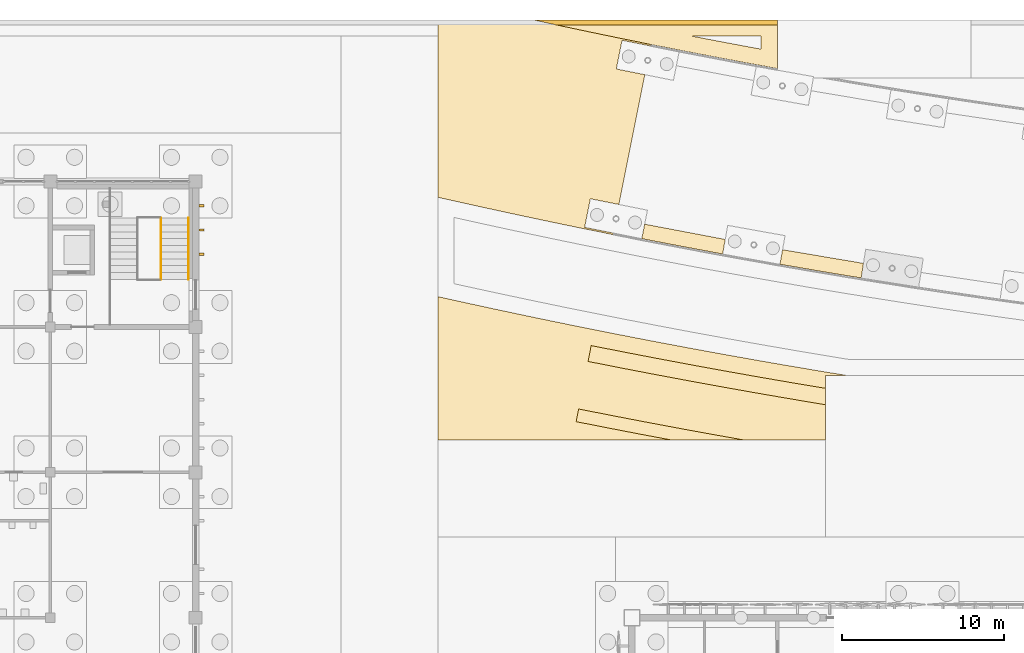
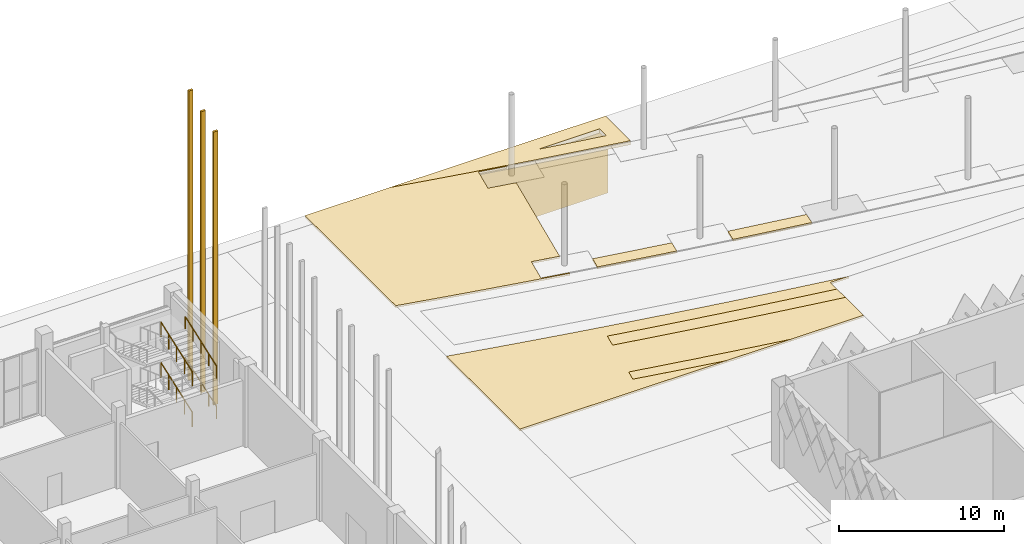
# One storey, part 170 of 198: 11 coverings, 4 railings.
"""IFC4 building model written with IfcOpenShell, lengths in metres."""

import ifcopenshell
import ifcopenshell.guid

model = None  # the IFC model being written
_history = None  # IfcOwnerHistory: only IFC2X3 demands one
_inside = {}  # id of a spatial element -> (the spatial element, [elements in it])
_under = {}  # id of a project, library or spatial element -> (it, [spatial elements below it])
_declared = {}  # id of a project -> (the project, [libraries it declares])
_typed = {}  # id of a type object -> (the type object, [elements of that type])
_made_of = {}  # id of a material, layer set ... -> (it, [elements and type objects made of it])


def new_model(schema):
    """Start an empty IFC model of exactly this schema.

    Asked for "IFC4X3", IfcOpenShell would pick the latest addendum, in which some entities
    have other attributes; the version numbers below select the first issue.
    IFC2X3 requires an IfcOwnerHistory on every rooted entity: one is made here for all.
    """
    global model, _history
    if schema == "IFC4X3":
        model = ifcopenshell.file(schema_version=(4, 3, 0, 0))
    else:
        model = ifcopenshell.file(schema=schema)
    _inside.clear()
    _under.clear()
    _declared.clear()
    _typed.clear()
    _made_of.clear()
    _history = None
    if model.schema == "IFC2X3":
        org = make("IfcOrganization", Name="unknown")
        user = make(
            "IfcPersonAndOrganization",
            ThePerson=make("IfcPerson", FamilyName="unknown"),
            TheOrganization=org,
        )
        app = make(
            "IfcApplication",
            ApplicationDeveloper=org,
            Version="unknown",
            ApplicationFullName="unknown",
            ApplicationIdentifier="unknown",
        )
        _history = make(
            "IfcOwnerHistory",
            OwningUser=user,
            OwningApplication=app,
            ChangeAction="ADDED",
            CreationDate=0,
        )
    return model


def make(cls, **values):
    """One entity of the class cls with the attributes given. An attribute that is None is left unset."""
    return model.create_entity(
        cls, **{name: value for name, value in values.items() if value is not None}
    )


def rooted(cls, **values):
    """An entity with a GlobalId (a new one), such as an element, a storey or a relation."""
    return make(cls, GlobalId=ifcopenshell.guid.new(), OwnerHistory=_history, **values)


def si_unit(unit_type, name, prefix=None):
    """IfcSIUnit, for example si_unit("LENGTHUNIT", "METRE", prefix="MILLI")."""
    return make("IfcSIUnit", UnitType=unit_type, Prefix=prefix, Name=name)


def assignment(units):
    """IfcUnitAssignment: the units of a project."""
    return None if units is None else make("IfcUnitAssignment", Units=units)


def point(xyz):
    """IfcCartesianPoint."""
    return None if xyz is None else make("IfcCartesianPoint", Coordinates=xyz)


def direction(xyz):
    """IfcDirection."""
    return None if xyz is None else make("IfcDirection", DirectionRatios=xyz)


def frame(location, z_axis=None, x_axis=None):
    """IfcAxis2Placement3D, a coordinate frame: its origin and axes. An axis left out is left unset."""
    return make(
        "IfcAxis2Placement3D",
        Location=point(location),
        Axis=direction(z_axis),
        RefDirection=direction(x_axis),
    )


def frame_2d(location, x_axis=None):
    """IfcAxis2Placement2D, a coordinate frame in the plane: its origin and x axis."""
    return make(
        "IfcAxis2Placement2D", Location=point(location), RefDirection=direction(x_axis)
    )


def origin():
    """The frame at (0, 0, 0) with its axes left unset."""
    return frame((0.0, 0.0, 0.0))


def origin_2d():
    """The frame at (0, 0) in the plane with its x axis left unset."""
    return frame_2d((0.0, 0.0))


def place(relative_to, where):
    """IfcLocalPlacement: puts the frame where relative to a parent placement (None: the world)."""
    return make(
        "IfcLocalPlacement", PlacementRelTo=relative_to, RelativePlacement=where
    )


def context(
    kind, dimensions, precision=None, world=None, true_north=None, identifier=None
):
    """IfcGeometricRepresentationContext, for example the 3D "Model" context."""
    return make(
        "IfcGeometricRepresentationContext",
        ContextIdentifier=identifier,
        ContextType=kind,
        CoordinateSpaceDimension=dimensions,
        Precision=precision,
        WorldCoordinateSystem=world,
        TrueNorth=true_north,
    )


def subcontext(parent, identifier, kind, view, scale=None):
    """IfcGeometricRepresentationSubContext, for example "Body" below "Model"."""
    return make(
        "IfcGeometricRepresentationSubContext",
        ContextIdentifier=identifier,
        ContextType=kind,
        ParentContext=parent,
        TargetScale=scale,
        TargetView=view,
    )


def project(units=None, contexts=None):
    """IfcProject with its units and contexts."""
    return rooted(
        "IfcProject",
        Name="project",
        RepresentationContexts=contexts,
        UnitsInContext=assignment(units),
    )


def spatial(cls, under=None, at=None, **own):
    """A site, building, storey or space (cls), placed at a placement, below another one or the project."""
    s = rooted(cls, ObjectPlacement=at, **own)
    if under is not None:
        _under.setdefault(under.id(), (under, []))[1].append(s)
    return s


def polyline(points):
    """IfcPolyline through the points."""
    return make("IfcPolyline", Points=[point(p) for p in points])


def profile(cls, at=None, kind="AREA", **sizes):
    """A parametric profile (cls). Its sizes go by their IFC names, for example OverallWidth=200.0."""
    return make(cls, ProfileType=kind, Position=at, **sizes)


def rectangle(**sizes):
    """IfcRectangleProfileDef."""
    return profile("IfcRectangleProfileDef", **sizes)


def circle(**sizes):
    """IfcCircleProfileDef."""
    return profile("IfcCircleProfileDef", **sizes)


def outline(outer, holes=None, kind="AREA"):
    """IfcArbitraryClosedProfileDef: a profile drawn as a closed curve; with holes, ...WithVoids."""
    if holes is None:
        return make("IfcArbitraryClosedProfileDef", ProfileType=kind, OuterCurve=outer)
    return make(
        "IfcArbitraryProfileDefWithVoids",
        ProfileType=kind,
        OuterCurve=outer,
        InnerCurves=holes,
    )


def extrude(swept, where, along, depth):
    """IfcExtrudedAreaSolid: the profile swept, set in the frame where, extruded along a direction by depth."""
    return make(
        "IfcExtrudedAreaSolid",
        SweptArea=swept,
        Position=where,
        ExtrudedDirection=direction(along),
        Depth=depth,
    )


def shape(context_of_items, identifier, shape_type, items):
    """IfcShapeRepresentation: the items that make up one representation, for example the "Body"."""
    return make(
        "IfcShapeRepresentation",
        ContextOfItems=context_of_items,
        RepresentationIdentifier=identifier,
        RepresentationType=shape_type,
        Items=items,
    )


def material(Name=None, Category=None):
    """IfcMaterial."""
    return make("IfcMaterial", Name=Name, Category=Category)


def layer(
    of_material, thickness, ventilated=None, Name=None, Category=None, Priority=None
):
    """IfcMaterialLayer: one layer of a wall or slab, of a material (None: an air gap)."""
    return make(
        "IfcMaterialLayer",
        Material=of_material,
        LayerThickness=thickness,
        IsVentilated=ventilated,
        Name=Name,
        Category=Category,
        Priority=Priority,
    )


def layer_set(layers, Name=None):
    """IfcMaterialLayerSet."""
    return make("IfcMaterialLayerSet", MaterialLayers=layers, LayerSetName=Name)


def constituent(of_material, Name=None, Category=None, fraction=None):
    """IfcMaterialConstituent: one of the materials an element consists of."""
    return make(
        "IfcMaterialConstituent",
        Name=Name,
        Material=of_material,
        Fraction=fraction,
        Category=Category,
    )


def constituent_set(constituents=None, Name=None):
    """IfcMaterialConstituentSet."""
    return make(
        "IfcMaterialConstituentSet", Name=Name, MaterialConstituents=constituents
    )


def made_of(thing, what):
    """Note that an element or type object is made of a material, layer set ...; save() writes the relation."""
    if what is not None:
        _made_of.setdefault(what.id(), (what, []))[1].append(thing)
    return thing


def type_object(cls, material=None, **own):
    """A type object (cls), such as IfcWallType, which elements share."""
    return made_of(rooted(cls, **own), material)


def element(
    cls,
    number,
    at=None,
    inside=None,
    cuts=None,
    type_object=None,
    material=None,
    context=None,
    identifier="Body",
    shape_type=None,
    held_by="IfcProductDefinitionShape",
    body=None,
    shapes=None,
    **own,
):
    """One element of the class cls, such as IfcWall. Its Tag is "e" and its number.

    at: its placement. inside: the storey or other place that contains it. cuts: it is an
    opening in that element (IfcRelVoidsElement). A single representation is given by context,
    identifier, shape_type and body (its items); several are given by shapes. held_by: the class
    of the entity that holds the representations. save() writes the other relations.
    """
    e = rooted(cls, Tag="e%d" % number, ObjectPlacement=at, **own)
    if body is not None:
        shapes = [shape(context, identifier, shape_type, body)]
    if shapes is not None:
        e.Representation = make(held_by, Representations=shapes)
    if inside is not None:
        _inside.setdefault(inside.id(), (inside, []))[1].append(e)
    if cuts is not None:
        rooted(
            "IfcRelVoidsElement", RelatingBuildingElement=cuts, RelatedOpeningElement=e
        )
    if type_object is not None:
        _typed.setdefault(type_object.id(), (type_object, []))[1].append(e)
    return made_of(e, material)


def aggregate(whole, parts):
    """IfcRelAggregates: a whole, such as a stair, and the parts it consists of."""
    return rooted("IfcRelAggregates", RelatingObject=whole, RelatedObjects=parts)


def save(model, path):
    """Write the relations noted so far, then the file.

    IfcRelAggregates (storeys below a building ...), IfcRelContainedInSpatialStructure (elements
    in a storey), IfcRelDefinesByType, IfcRelAssociatesMaterial and IfcRelDeclares: one each for
    every whole, place, type object, material and project.
    """
    for whole, parts in _under.values():
        aggregate(whole, parts)
    for where, things in _inside.values():
        rooted(
            "IfcRelContainedInSpatialStructure",
            RelatedElements=things,
            RelatingStructure=where,
        )
    for kind, things in _typed.values():
        rooted("IfcRelDefinesByType", RelatedObjects=things, RelatingType=kind)
    for what, things in _made_of.values():
        rooted("IfcRelAssociatesMaterial", RelatedObjects=things, RelatingMaterial=what)
    for by, libraries in _declared.values():
        rooted("IfcRelDeclares", RelatingContext=by, RelatedDefinitions=libraries)
    model.write(path)


model = new_model("IFC4")

# Units and contexts
model_context = context("Model", 3, precision=1e-05, world=origin(), true_north=direction((0.0, 1.0)))
body_context = subcontext(model_context, "Body", "Model", "MODEL_VIEW")
ifc_project = project(units=[si_unit("LENGTHUNIT", "METRE"), si_unit("AREAUNIT", "SQUARE_METRE"), si_unit("VOLUMEUNIT", "CUBIC_METRE"), si_unit("PLANEANGLEUNIT", "RADIAN"), si_unit("MASSUNIT", "GRAM", prefix="KILO")], contexts=[model_context])

# Site, building, storey
site_placement = place(None, origin())
site = spatial("IfcSite", under=ifc_project, at=site_placement, CompositionType="ELEMENT")
building_placement = place(site_placement, origin())
building = spatial("IfcBuilding", under=site, at=building_placement, Name="Opaline Strait Convention Centre", CompositionType="ELEMENT")
storey_placement = place(building_placement, origin())
storey = spatial("IfcBuildingStorey", under=building, at=storey_placement, Name="L00", CompositionType="ELEMENT", Elevation=0.0)

# Coverings
ifc_material_1 = material(Name="Glass fibre reinforced concrete, white", Category="concrete")
ifc_layer_1 = layer(ifc_material_1, 0.300048828125)
ifc_layer_set_1 = layer_set([ifc_layer_1], Name="Glass fibre reinforced concrete, white")
covering_type_1 = type_object("IfcCoveringType", Name="GRC rib 150 x 300", PredefinedType="CLADDING", material=ifc_layer_set_1)
covering_1_placement = place(storey_placement, frame((72.35009765625, 175.5, 0.0), z_axis=(0.0, 0.0, 1.0), x_axis=(1.0, 0.0, 0.0)))
element("IfcCovering", 1, at=covering_1_placement, inside=storey, type_object=covering_type_1, Name="PX1 rib east 39", PredefinedType="CLADDING", context=body_context, shape_type="SweptSolid", body=[
    extrude(rectangle(XDim=0.300048828125, YDim=0.14990234375, at=origin_2d()), origin(), (0.0, 0.0, 1.0), 20.182861328125),
])
covering_2_placement = place(storey_placement, frame((72.35009765625, 177.0, 0.0), z_axis=(0.0, 0.0, 1.0), x_axis=(1.0, 0.0, 0.0)))
element("IfcCovering", 2, at=covering_2_placement, inside=storey, type_object=covering_type_1, Name="PX1 rib east 40", PredefinedType="CLADDING", context=body_context, shape_type="SweptSolid", body=[
    extrude(rectangle(XDim=0.300048828125, YDim=0.14990234375, at=origin_2d()), origin(), (0.0, 0.0, 1.0), 20.770263671875),
])
covering_3_placement = place(storey_placement, frame((72.35009765625, 178.5, 0.0), z_axis=(0.0, 0.0, 1.0), x_axis=(1.0, 0.0, 0.0)))
element("IfcCovering", 3, at=covering_3_placement, inside=storey, type_object=covering_type_1, Name="PX1 rib east 41", PredefinedType="CLADDING", context=body_context, shape_type="SweptSolid", body=[
    extrude(rectangle(XDim=0.300048828125, YDim=0.14990234375, at=origin_2d()), origin(), (0.0, 0.0, 1.0), 21.38916015625),
])
ifc_material_2 = material(Name="Granite paving slabs on mortar bed", Category="masonry")
ifc_layer_2 = layer(ifc_material_2, 0.14990234375)
ifc_layer_set_2 = layer_set([ifc_layer_2], Name="Granite paving slabs on mortar bed")
covering_type_2 = type_object("IfcCoveringType", Name="Granite paving 150", PredefinedType="FLOORING", material=ifc_layer_set_2)
covering_4_placement = place(storey_placement, frame((0.0, 0.0, -0.14990234375)))
element("IfcCovering", 4, at=covering_4_placement, inside=storey, type_object=covering_type_2, Name="Forecourt surfacing", PredefinedType="FLOORING", context=body_context, shape_type="SweptSolid", body=[
    extrude(outline(polyline([(112.2001953125, 174.194091796875), (112.228759765625, 174.189453125), (113.191162109375, 174.033203125), (113.333740234375, 174.93505859375), (108.33056640625, 175.779296875), (108.169189453125, 174.87939453125), (110.147216796875, 174.5380859375), (110.17529296875, 174.533203125), (112.2001953125, 174.194091796875)])), origin(), (0.0, 0.0, 1.0), 0.14990234375),
])
covering_5_placement = place(storey_placement, frame((0.0, 0.0, -0.14990234375)))
element("IfcCovering", 5, at=covering_5_placement, inside=storey, type_object=covering_type_2, Name="Forecourt surfacing", PredefinedType="FLOORING", context=body_context, shape_type="SweptSolid", body=[
    extrude(outline(polyline([(103.98779296875, 175.631591796875), (104.015625, 175.62646484375), (104.615966796875, 175.516845703125), (104.777099609375, 176.416015625), (99.79296875, 177.36083984375), (99.613525390625, 176.46484375), (99.8818359375, 176.411865234375), (99.90966796875, 176.406494140625), (101.934814453125, 176.0166015625), (101.962646484375, 176.01123046875), (103.98779296875, 175.631591796875)])), origin(), (0.0, 0.0, 1.0), 0.14990234375),
])
covering_6_placement = place(storey_placement, frame((0.0, 0.0, -0.14990234375)))
element("IfcCovering", 6, at=covering_6_placement, inside=storey, type_object=covering_type_2, Name="Forecourt surfacing", PredefinedType="FLOORING", context=body_context, shape_type="SweptSolid", body=[
    extrude(outline(polyline([(98.197021484375, 178.58447265625), (99.0, 182.60009765625), (99.802978515625, 186.615478515625), (98.033203125, 186.969482421875), (98.38818359375, 188.744384765625), (100.14404296875, 188.39306640625), (100.16259765625, 188.486328125), (98.20458984375, 188.8828125), (96.232421875, 189.291748046875), (94.260009765625, 189.710693359375), (92.928466796875, 190.0), (87.0, 190.0), (87.0, 179.02490234375), (87.6708984375, 178.87255859375), (87.698486328125, 178.8662109375), (89.698486328125, 178.421875), (89.72607421875, 178.415771484375), (91.72607421875, 177.981201171875), (91.753662109375, 177.975341796875), (93.753662109375, 177.550537109375), (93.781494140625, 177.544921875), (95.781494140625, 177.1298828125), (95.809326171875, 177.124267578125), (97.809326171875, 176.71923828125), (97.83740234375, 176.713623046875), (97.83740234375, 176.713623046875), (97.85595703125, 176.806884765625), (96.072021484375, 177.163818359375), (96.427001953125, 178.9384765625), (98.197021484375, 178.58447265625)])), origin(), (0.0, 0.0, 1.0), 0.14990234375),
])
covering_7_placement = place(storey_placement, frame((0.0, 0.0, -0.14990234375)))
element("IfcCovering", 7, at=covering_7_placement, inside=storey, type_object=covering_type_2, Name="Forecourt Terrace 1 surfacing", PredefinedType="FLOORING", context=body_context, shape_type="SweptSolid", body=[
    extrude(outline(polyline([(90.451904296875, 172.1181640625), (88.451904296875, 172.552490234375), (88.396728515625, 172.564697265625), (87.0, 172.875244140625), (87.0, 164.0), (101.4501953125, 164.0), (99.769775390625, 164.315185546875), (99.685302734375, 164.331298828125), (97.660400390625, 164.720947265625), (97.576171875, 164.7373046875), (95.551025390625, 165.13720703125), (95.7060546875, 165.922119140625), (97.731201171875, 165.522216796875), (97.8115234375, 165.506591796875), (99.83642578125, 165.11669921875), (99.9169921875, 165.101318359375), (101.942138671875, 164.7216796875), (102.02294921875, 164.706787109375), (104.0478515625, 164.337158203125), (104.12890625, 164.322509765625), (105.946533203125, 164.0), (111.0, 164.0), (111.0, 166.182861328125), (110.929443359375, 166.1943359375), (110.8623046875, 166.205322265625), (108.837158203125, 166.544677734375), (108.77001953125, 166.555908203125), (106.7451171875, 166.9052734375), (106.67822265625, 166.9169921875), (104.6533203125, 167.276611328125), (104.58642578125, 167.28857421875), (102.5615234375, 167.657958984375), (102.4951171875, 167.67041015625), (100.469970703125, 168.050048828125), (100.403564453125, 168.062744140625), (98.378662109375, 168.452392578125), (98.3125, 168.46533203125), (96.287353515625, 168.865234375), (96.481201171875, 169.846435546875), (98.506103515625, 169.4462890625), (98.567626953125, 169.434326171875), (100.592529296875, 169.044677734375), (100.654296875, 169.032958984375), (102.67919921875, 168.6533203125), (102.740966796875, 168.641845703125), (104.76611328125, 168.272216796875), (104.827880859375, 168.260986328125), (106.85302734375, 167.901611328125), (106.9150390625, 167.890869140625), (108.940185546875, 167.54150390625), (109.00244140625, 167.531005859375), (111.0, 167.1962890625), (111.0, 168.0), (112.2861328125, 168.0), (111.06982421875, 168.1982421875), (111.012939453125, 168.20751953125), (109.012939453125, 168.54345703125), (108.956298828125, 168.552978515625), (106.956298828125, 168.898681640625), (106.899658203125, 168.90869140625), (104.899658203125, 169.264404296875), (104.843017578125, 169.2744140625), (102.843017578125, 169.639892578125), (102.786865234375, 169.650390625), (100.786865234375, 170.025634765625), (100.730712890625, 170.036376953125), (98.730712890625, 170.42138671875), (98.674560546875, 170.432373046875), (96.6748046875, 170.827392578125), (96.674560546875, 170.827392578125), (96.61865234375, 170.838623046875), (94.61865234375, 171.24365234375), (94.56298828125, 171.2548828125), (92.56298828125, 171.669921875), (92.50732421875, 171.681396484375), (90.50732421875, 172.106201171875), (90.451904296875, 172.1181640625)])), origin(), (0.0, 0.0, 1.0), 0.14990234375),
])
ifc_material_3 = material(Name="Limestone paving slabs on mortar bed", Category="masonry")
ifc_layer_3 = layer(ifc_material_3, 0.14990234375)
ifc_layer_set_3 = layer_set([ifc_layer_3], Name="Limestone paving slabs on mortar bed")
covering_type_3 = type_object("IfcCoveringType", Name="Limestone court paving 150", PredefinedType="FLOORING", material=ifc_layer_set_3)
covering_8_placement = place(storey_placement, frame((0.0, 0.0, -0.14990234375)))
element("IfcCovering", 8, at=covering_8_placement, inside=storey, type_object=covering_type_3, Name="Forecourt paving band 1 surfacing", PredefinedType="FLOORING", context=body_context, shape_type="SweptSolid", body=[
    extrude(outline(polyline([(108.837158203125, 166.544677734375), (110.8623046875, 166.205322265625), (110.929443359375, 166.1943359375), (111.0, 166.182861328125), (111.0, 167.1962890625), (109.00244140625, 167.531005859375), (108.940185546875, 167.54150390625), (106.9150390625, 167.890869140625), (106.85302734375, 167.901611328125), (104.827880859375, 168.260986328125), (104.76611328125, 168.272216796875), (102.740966796875, 168.641845703125), (102.67919921875, 168.6533203125), (100.654296875, 169.032958984375), (100.592529296875, 169.044677734375), (98.567626953125, 169.434326171875), (98.506103515625, 169.4462890625), (96.481201171875, 169.846435546875), (96.287353515625, 168.865234375), (98.3125, 168.46533203125), (98.378662109375, 168.452392578125), (100.403564453125, 168.062744140625), (100.469970703125, 168.050048828125), (102.4951171875, 167.67041015625), (102.5615234375, 167.657958984375), (104.58642578125, 167.28857421875), (104.6533203125, 167.276611328125), (106.67822265625, 166.9169921875), (106.7451171875, 166.9052734375), (108.77001953125, 166.555908203125), (108.837158203125, 166.544677734375)])), origin(), (0.0, 0.0, 1.0), 0.14990234375),
])
ifc_material_4 = material(Name="Permeable concrete block paving C30", Category="concrete")
ifc_layer_4 = layer(ifc_material_4, 0.14990234375)
ifc_layer_set_4 = layer_set([ifc_layer_4], Name="Permeable concrete block paving C30")
covering_type_4 = type_object("IfcCoveringType", Name="Permeable block paving 150", PredefinedType="FLOORING", material=ifc_layer_set_4)
covering_9_placement = place(storey_placement, frame((0.0, 0.0, -0.14990234375)))
element("IfcCovering", 9, at=covering_9_placement, inside=storey, type_object=covering_type_4, Name="Forecourt paving band 2 surfacing", PredefinedType="FLOORING", context=body_context, shape_type="SweptSolid", body=[
    extrude(outline(polyline([(97.660400390625, 164.720947265625), (99.685302734375, 164.331298828125), (99.769775390625, 164.315185546875), (101.4501953125, 164.0), (105.946533203125, 164.0), (104.12890625, 164.322509765625), (104.0478515625, 164.337158203125), (102.02294921875, 164.706787109375), (101.942138671875, 164.7216796875), (99.9169921875, 165.101318359375), (99.83642578125, 165.11669921875), (97.8115234375, 165.506591796875), (97.731201171875, 165.522216796875), (95.7060546875, 165.922119140625), (95.551025390625, 165.13720703125), (97.576171875, 164.7373046875), (97.660400390625, 164.720947265625)])), origin(), (0.0, 0.0, 1.0), 0.14990234375),
])
ifc_material_5 = material(Name="Planting soil and turf")
ifc_layer_5 = layer(ifc_material_5, 0.300048828125)
ifc_layer_set_5 = layer_set([ifc_layer_5], Name="Planting soil and turf")
covering_type_5 = type_object("IfcCoveringType", Name="Planted bed 300", PredefinedType="USERDEFINED", material=ifc_layer_set_5)
covering_10_placement = place(storey_placement, frame((0.0, 0.0, -0.300048828125)))
element("IfcCovering", 10, at=covering_10_placement, inside=storey, type_object=covering_type_5, Name="Strait Garden North 2 surfacing", ObjectType="LANDSCAPE", PredefinedType="USERDEFINED", context=body_context, shape_type="SweptSolid", body=[
    extrude(outline(polyline([(100.1767578125, 188.4833984375), (102.148681640625, 188.093994140625), (104.12060546875, 187.714111328125), (106.092529296875, 187.34423828125), (108.0, 186.99560546875), (108.0, 190.0), (92.928466796875, 190.0), (94.260009765625, 189.710693359375), (96.232421875, 189.291748046875), (98.20458984375, 188.8828125), (100.1767578125, 188.4833984375)]), holes=[polyline([(106.274658203125, 188.327392578125), (104.307373046875, 188.696533203125), (102.73193359375, 189.0), (107.0, 189.0), (107.0, 188.19482421875), (106.274658203125, 188.327392578125)])]), origin(), (0.0, 0.0, 1.0), 0.300048828125),
])
ifc_material_6 = material(Name="Stabilised soil platform edge 300")
ifc_layer_6 = layer(ifc_material_6, 0.300048828125)
ifc_layer_set_6 = layer_set([ifc_layer_6], Name="Stabilised soil platform edge 300")
covering_type_6 = type_object("IfcCoveringType", Name="Platform edge facing 300", PredefinedType="CLADDING", material=ifc_layer_set_6)
covering_11_placement = place(storey_placement, frame((0.0, 0.0, -5.5)))
element("IfcCovering", 11, at=covering_11_placement, inside=storey, type_object=covering_type_6, Name="Platform edge facing", PredefinedType="CLADDING", context=body_context, shape_type="SweptSolid", body=[
    extrude(outline(polyline([(108.0, 190.0), (92.928466796875, 190.0), (94.260009765625, 189.710693359375), (94.31005859375, 189.699951171875), (108.0, 189.699951171875), (108.0, 190.0)])), origin(), (0.0, 0.0, 1.0), 5.199951171875),
])

# Railings
ifc_material_7 = material(Name="Steel Q355B", Category="steel")
ifc_constituent_1 = constituent(ifc_material_7, Name="Frame")
ifc_material_8 = material(Name="Safety glass, bonded interlayer", Category="glass")
ifc_constituent_2 = constituent(ifc_material_8, Name="Infill")
ifc_constituent_set = constituent_set(constituents=[ifc_constituent_1, ifc_constituent_2], Name="Steel Q355B, Safety glass, bonded interlayer")
railing_type_1 = type_object("IfcRailingType", Name="Seating guard 1100 steel and glass", PredefinedType="GUARDRAIL", material=ifc_constituent_set)
for number, where, name in (
    (12, (69.85009765625, 173.949951171875, 0.14990234375), "L00 PSR4 stair guard 1"),
    (13, (69.85009765625, 173.949951171875, 3.14990234375), "L00 PSR4 stair guard 7"),
):
    element("IfcRailing", number, at=place(storey_placement, frame(where)), inside=storey, type_object=railing_type_1, Name=name, PredefinedType="GUARDRAIL", context=body_context, shape_type="SweptSolid", body=[
        extrude(circle(Radius=0.02392578125, at=origin_2d()), frame((0.0, 0.0, 1.076171875), z_axis=(0.0, 0.941735030876, 0.336355662388), x_axis=(-1.0, 0.0, 0.0)), (0.0, 0.0, 1.0), 4.013916015625),
        extrude(circle(Radius=0.02099609375, at=origin_2d()), origin(), (0.0, 0.0, 1.0), 1.052001953125),
        extrude(circle(Radius=0.02099609375, at=origin_2d()), frame((0.0, 0.945068359375, 0.33740234375)), (0.0, 0.0, 1.0), 1.052001953125),
        extrude(circle(Radius=0.02099609375, at=origin_2d()), frame((0.0, 1.89013671875, 0.675048828125)), (0.0, 0.0, 1.0), 1.052001953125),
        extrude(circle(Radius=0.02099609375, at=origin_2d()), frame((0.0, 2.8349609375, 1.0126953125)), (0.0, 0.0, 1.0), 1.052001953125),
        extrude(circle(Radius=0.02099609375, at=origin_2d()), frame((0.0, 3.780029296875, 1.35009765625)), (0.0, 0.0, 1.0), 1.052001953125),
    ])
ifc_material_9 = material(Name="Stainless steel 304", Category="steel")
railing_type_2 = type_object("IfcRailingType", Name="Stair handrail 900", PredefinedType="HANDRAIL", material=ifc_material_9)
for number, where, name in (
    (14, (71.550048828125, 173.949951171875, 0.14990234375), "L00 PSR4 stair handrail 1"),
    (15, (71.550048828125, 173.949951171875, 3.14990234375), "L00 PSR4 stair handrail 3"),
):
    element("IfcRailing", number, at=place(storey_placement, frame(where)), inside=storey, type_object=railing_type_2, Name=name, PredefinedType="HANDRAIL", context=body_context, shape_type="SweptSolid", body=[
        extrude(circle(Radius=0.02392578125, at=origin_2d()), frame((0.0, 0.0, 0.8759765625), z_axis=(0.0, 0.941735030876, 0.336355662388), x_axis=(-1.0, 0.0, 0.0)), (0.0, 0.0, 1.0), 4.013916015625),
        extrude(circle(Radius=0.02099609375, at=origin_2d()), origin(), (0.0, 0.0, 1.0), 0.851806640625),
        extrude(circle(Radius=0.02099609375, at=origin_2d()), frame((0.0, 0.945068359375, 0.33740234375)), (0.0, 0.0, 1.0), 0.851806640625),
        extrude(circle(Radius=0.02099609375, at=origin_2d()), frame((0.0, 1.89013671875, 0.675048828125)), (0.0, 0.0, 1.0), 0.851806640625),
        extrude(circle(Radius=0.02099609375, at=origin_2d()), frame((0.0, 2.8349609375, 1.0126953125)), (0.0, 0.0, 1.0), 0.851806640625),
        extrude(circle(Radius=0.02099609375, at=origin_2d()), frame((0.0, 3.780029296875, 1.35009765625)), (0.0, 0.0, 1.0), 0.851806640625),
    ])

save(model, "model.ifc")
